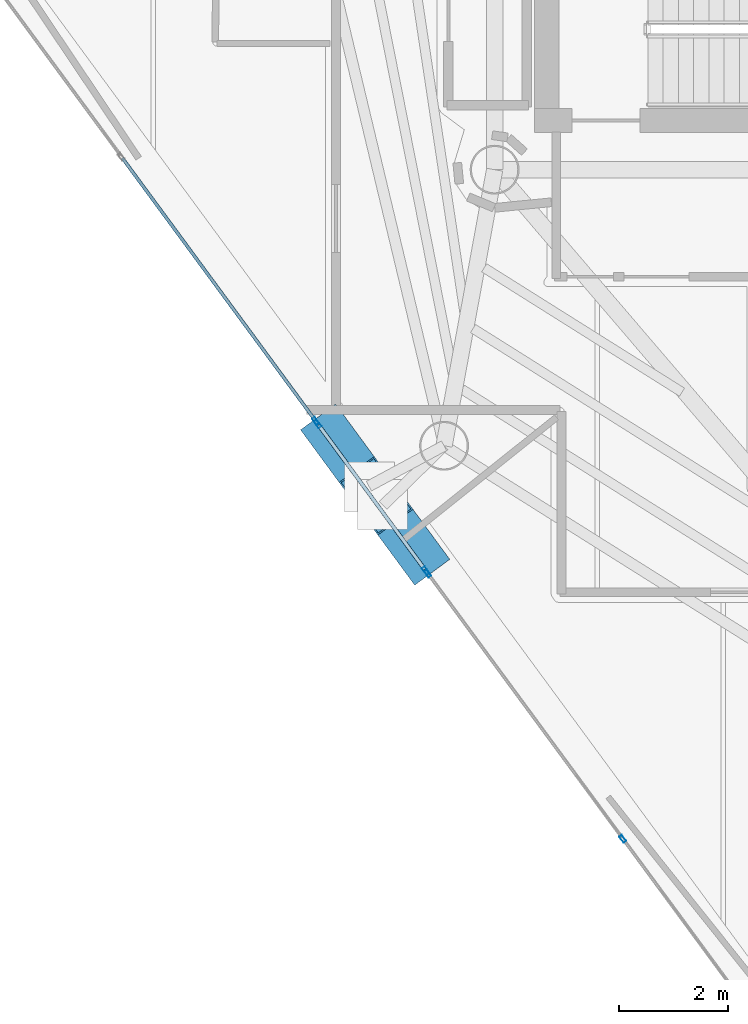
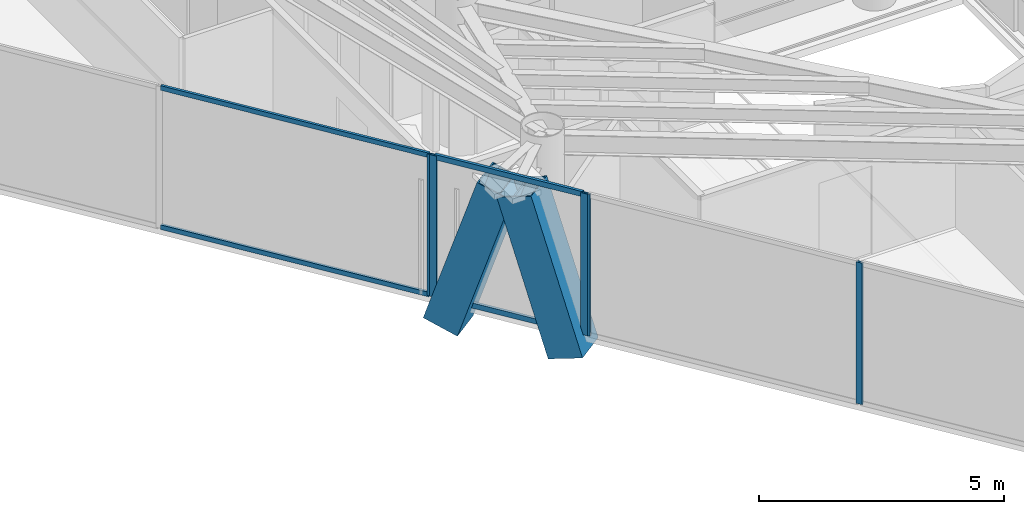
# One storey, part 2 of 21: 11 members, 3 elements without a shape of their own.
"""IFC4 building model written with IfcOpenShell, lengths in metres."""

from ifc_helpers import new_model, si_unit, direction, frame, origin, origin_2d, place, context, subcontext, project, spatial, hollow_rectangle, extrude, material, layer, layer_set, material_profile, profile_set, type_object, element, aggregate, save


model = new_model("IFC4")

# Units and contexts
model_context = context("Model", 3, precision=1e-05, world=origin(), true_north=direction((0.0, 1.0)))
body_context = subcontext(model_context, "Body", "Model", "MODEL_VIEW")
ifc_project = project(units=[si_unit("LENGTHUNIT", "METRE"), si_unit("AREAUNIT", "SQUARE_METRE"), si_unit("VOLUMEUNIT", "CUBIC_METRE"), si_unit("PLANEANGLEUNIT", "RADIAN"), si_unit("MASSUNIT", "GRAM", prefix="KILO")], contexts=[model_context])

# Site, building, storey
site_placement = place(None, origin())
site = spatial("IfcSite", under=ifc_project, at=site_placement, CompositionType="ELEMENT")
building_placement = place(site_placement, origin())
building = spatial("IfcBuilding", under=site, at=building_placement, Name="Qianvela Tower", CompositionType="ELEMENT")
storey_placement = place(building_placement, frame((0.0, 0.0, 302.800048828125)))
storey = spatial("IfcBuildingStorey", under=building, at=storey_placement, Name="L78", CompositionType="ELEMENT", Elevation=302.800048828125)

# Curtain wall, members
ifc_material_1 = material(Name="Anodised Architectural Aluminium and Insulated Spandrel Panel", Category="aluminium")
ifc_layer_1 = layer(ifc_material_1, 0.179931640625)
ifc_layer_set_1 = layer_set([ifc_layer_1], Name="Anodised Architectural Aluminium and Insulated Spandrel Panel")
curtain_wall_type_1 = type_object("IfcCurtainWallType", Name="CW-BRACEBAY", PredefinedType="USERDEFINED", material=ifc_layer_set_1)
curtain_wall_1_placement = place(storey_placement, origin())
curtain_wall_1 = element("IfcCurtainWall", 1, at=curtain_wall_1_placement, inside=storey, type_object=curtain_wall_type_1, Name="L78 CW-BRACEBAY Curtain Wall 04B", ObjectType="CURTAIN_WALL_SYSTEM", PredefinedType="USERDEFINED")
ifc_material_2 = material(Name="Anodised Architectural Aluminium 6063-T6", Category="aluminium")
ifc_material_profile_1 = material_profile(ifc_material_2, hollow_rectangle(XDim=0.06494140625, YDim=0.159912109375, WallThickness=0.0048828125, at=origin_2d()), Name="ALU-MULL-65x160")
ifc_profile_set_1 = profile_set([ifc_material_profile_1], Name="Anodised Architectural Aluminium 6063-T6")
member_type_1 = type_object("IfcMemberType", Name="CW-BRACEBAY-MULL", PredefinedType="MULLION", material=ifc_profile_set_1)
member_1_placement = place(storey_placement, frame((25.34521484375, 19.178466796875, 0.0), z_axis=(0.0, 0.0, 1.0), x_axis=(0.805717497787, 0.592300020057, 0.0)))
member_1 = element("IfcMember", 2, at=member_1_placement, type_object=member_type_1, Name="CW-9 mullion 1", PredefinedType="MULLION", context=body_context, shape_type="SweptSolid", body=[
    extrude(hollow_rectangle(XDim=0.06494140625, YDim=0.159912109375, WallThickness=0.0048828125, at=origin_2d()), origin(), (0.0, 0.0, 1.0), 3.52001953125),
])
member_2_placement = place(storey_placement, frame((27.33251953125, 16.475341796875, 0.0), z_axis=(0.0, 0.0, 1.0), x_axis=(0.805717497787, 0.592300020057, 0.0)))
member_2 = element("IfcMember", 3, at=member_2_placement, type_object=member_type_1, Name="CW-9 mullion 2", PredefinedType="MULLION", context=body_context, shape_type="SweptSolid", body=[
    extrude(hollow_rectangle(XDim=0.06494140625, YDim=0.159912109375, WallThickness=0.0048828125, at=origin_2d()), origin(), (0.0, 0.0, 1.0), 3.52001953125),
])
ifc_material_3 = material(Name="Anodised Architectural Aluminium 6063-T6", Category="aluminium")
ifc_material_profile_2 = material_profile(ifc_material_3, hollow_rectangle(XDim=0.06494140625, YDim=0.1298828125, WallThickness=0.00439453125, at=origin_2d()), Name="ALU-TRAN-65x130")
ifc_profile_set_2 = profile_set([ifc_material_profile_2], Name="Anodised Architectural Aluminium 6063-T6")
member_type_2 = type_object("IfcMemberType", Name="CW-BRACEBAY-TRAN", PredefinedType="USERDEFINED", material=ifc_profile_set_2)
member_3_placement = place(storey_placement, frame((25.364501953125, 19.15234375, 0.032470703125), z_axis=(0.59230261782, -0.80571558811, 0.0), x_axis=(0.80571558811, 0.59230261782, 0.0)))
member_3 = element("IfcMember", 4, at=member_3_placement, type_object=member_type_2, Name="CW-9 transom 1.1", ObjectType="TRANSOM", PredefinedType="USERDEFINED", context=body_context, shape_type="SweptSolid", body=[
    extrude(hollow_rectangle(XDim=0.06494140625, YDim=0.1298828125, WallThickness=0.00439453125, at=origin_2d()), origin(), (0.0, 0.0, 1.0), 3.2900390625),
])
member_4_placement = place(storey_placement, frame((25.364501953125, 19.15234375, 3.487548828125), z_axis=(0.59230261782, -0.80571558811, 0.0), x_axis=(0.80571558811, 0.59230261782, 0.0)))
member_4 = element("IfcMember", 5, at=member_4_placement, type_object=member_type_2, Name="CW-9 transom 1.2", ObjectType="TRANSOM", PredefinedType="USERDEFINED", context=body_context, shape_type="SweptSolid", body=[
    extrude(hollow_rectangle(XDim=0.06494140625, YDim=0.1298828125, WallThickness=0.00439453125, at=origin_2d()), origin(), (0.0, 0.0, 1.0), 3.2900390625),
])
aggregate(curtain_wall_1, [member_1, member_2, member_3, member_4])

# Curtain wall, member
ifc_material_4 = material(Name="Anodised Architectural Aluminium and Low-E Glass", Category="aluminium")
ifc_layer_2 = layer(ifc_material_4, 0.14990234375)
ifc_layer_set_2 = layer_set([ifc_layer_2], Name="Anodised Architectural Aluminium and Low-E Glass")
curtain_wall_type_2 = type_object("IfcCurtainWallType", Name="CW-COLIV-Z78", PredefinedType="USERDEFINED", material=ifc_layer_set_2)
curtain_wall_2_placement = place(storey_placement, origin())
curtain_wall_2 = element("IfcCurtainWall", 6, at=curtain_wall_2_placement, inside=storey, type_object=curtain_wall_type_2, Name="L78 CW-COLIV-Z78 Curtain Wall 04A", ObjectType="CURTAIN_WALL_SYSTEM", PredefinedType="USERDEFINED")
ifc_material_5 = material(Name="Anodised Architectural Aluminium 6063-T6", Category="aluminium")
ifc_material_profile_3 = material_profile(ifc_material_5, hollow_rectangle(XDim=0.06005859375, YDim=0.139892578125, WallThickness=0.00439453125, at=origin_2d()), Name="ALU-MULL-60x140")
ifc_profile_set_3 = profile_set([ifc_material_profile_3], Name="Anodised Architectural Aluminium 6063-T6")
member_type_3 = type_object("IfcMemberType", Name="CW-COLIV-Z78-MULL", PredefinedType="MULLION", material=ifc_profile_set_3)
member_5_placement = place(storey_placement, frame((25.308349609375, 19.228759765625, 0.0), z_axis=(0.0, 0.0, 1.0), x_axis=(0.805720613535, 0.592295781621, 0.0)))
member_5 = element("IfcMember", 7, at=member_5_placement, type_object=member_type_3, Name="CW-6 mullion 3", PredefinedType="MULLION", context=body_context, shape_type="SweptSolid", body=[
    extrude(hollow_rectangle(XDim=0.06005859375, YDim=0.139892578125, WallThickness=0.00439453125, at=origin_2d()), origin(), (0.0, 0.0, 1.0), 3.52001953125),
])

# Curtain wall, members
curtain_wall_3_placement = place(storey_placement, origin())
curtain_wall_3 = element("IfcCurtainWall", 8, at=curtain_wall_3_placement, inside=storey, type_object=curtain_wall_type_2, Name="L78 CW-COLIV-Z78 Curtain Wall 04C", ObjectType="CURTAIN_WALL_SYSTEM", PredefinedType="USERDEFINED")
member_6_placement = place(storey_placement, frame((27.369384765625, 16.425048828125, 0.0), z_axis=(0.0, 0.0, 1.0), x_axis=(0.805722167725, 0.592293667395, 0.0)))
member_6 = element("IfcMember", 9, at=member_6_placement, type_object=member_type_3, Name="CW-6 mullion 1", PredefinedType="MULLION", context=body_context, shape_type="SweptSolid", body=[
    extrude(hollow_rectangle(XDim=0.06005859375, YDim=0.139892578125, WallThickness=0.00439453125, at=origin_2d()), origin(), (0.0, 0.0, 1.0), 3.52001953125),
])
member_7_placement = place(storey_placement, frame((30.9560546875, 11.5458984375, 0.0), z_axis=(0.0, 0.0, 1.0), x_axis=(0.805722167725, 0.592293667395, 0.0)))
member_7 = element("IfcMember", 10, at=member_7_placement, type_object=member_type_3, Name="CW-6 mullion 2", PredefinedType="MULLION", context=body_context, shape_type="SweptSolid", body=[
    extrude(hollow_rectangle(XDim=0.06005859375, YDim=0.139892578125, WallThickness=0.00439453125, at=origin_2d()), origin(), (0.0, 0.0, 1.0), 3.52001953125),
])
aggregate(curtain_wall_3, [member_6, member_7])

# Member
ifc_material_6 = material(Name="Anodised Architectural Aluminium 6063-T6", Category="aluminium")
ifc_material_profile_4 = material_profile(ifc_material_6, hollow_rectangle(XDim=0.06005859375, YDim=0.114990234375, WallThickness=0.00390625, at=origin_2d()), Name="ALU-TRAN-60x115")
ifc_profile_set_4 = profile_set([ifc_material_profile_4], Name="Anodised Architectural Aluminium 6063-T6")
member_type_4 = type_object("IfcMemberType", Name="CW-COLIV-Z78-TRAN", PredefinedType="USERDEFINED", material=ifc_profile_set_4)
member_8_placement = place(storey_placement, frame((21.75439453125, 24.063232421875, 0.030029296875), z_axis=(0.592297547039, -0.805719315749, 0.0), x_axis=(0.805719315749, 0.592297547039, 0.0)))
member_8 = element("IfcMember", 11, at=member_8_placement, type_object=member_type_4, Name="CW-6 transom 2.1", ObjectType="TRANSOM", PredefinedType="USERDEFINED", context=body_context, shape_type="SweptSolid", body=[
    extrude(hollow_rectangle(XDim=0.06005859375, YDim=0.114990234375, WallThickness=0.00390625, at=origin_2d()), origin(), (0.0, 0.0, 1.0), 5.97021484375),
])

member_9_placement = place(storey_placement, frame((21.75439453125, 24.063232421875, 3.489990234375), z_axis=(0.592297547039, -0.805719315749, 0.0), x_axis=(0.805719315749, 0.592297547039, 0.0)))
member_9 = element("IfcMember", 12, at=member_9_placement, type_object=member_type_4, Name="CW-6 transom 2.2", ObjectType="TRANSOM", PredefinedType="USERDEFINED", context=body_context, shape_type="SweptSolid", body=[
    extrude(hollow_rectangle(XDim=0.06005859375, YDim=0.114990234375, WallThickness=0.00390625, at=origin_2d()), origin(), (0.0, 0.0, 1.0), 5.97021484375),
])

aggregate(curtain_wall_2, [member_5, member_8, member_9])

# Members
ifc_material_7 = material(Name="Steel Q420GJC", Category="steel")
ifc_material_profile_5 = material_profile(ifc_material_7, hollow_rectangle(XDim=0.800048828125, YDim=0.800048828125, WallThickness=0.028076171875, at=origin_2d()), Name="MBOX-800x800x28")
ifc_profile_set_5 = profile_set([ifc_material_profile_5], Name="Steel Q420GJC")
member_type_5 = type_object("IfcMemberType", Name="MBR-MBRACE-800", PredefinedType="BRACE", material=ifc_profile_set_5)
member_10_placement = place(storey_placement, frame((25.57861328125, 18.99609375, -0.48193359375), z_axis=(0.182430229047, -0.248157844261, 0.951386827669), x_axis=(0.805711090994, 0.592308735246, 0.0)))
element("IfcMember", 13, at=member_10_placement, inside=storey, type_object=member_type_5, Name="L78 Tier 13 Exterior Mega-Brace F2A", PredefinedType="BRACE", context=body_context, shape_type="SweptSolid", body=[
    extrude(hollow_rectangle(XDim=0.800048828125, YDim=0.800048828125, WallThickness=0.028076171875, at=origin_2d()), origin(), (0.0, 0.0, 1.0), 3.888916015625),
])
member_11_placement = place(storey_placement, frame((27.22607421875, 16.755126953125, -0.48193359375), z_axis=(-0.174941308638, 0.237920179747, 0.955400191857), x_axis=(-0.805651012649, -0.592390450478, 0.0)))
element("IfcMember", 14, at=member_11_placement, inside=storey, type_object=member_type_5, Name="L78 Tier 13 Exterior Mega-Brace F2B", PredefinedType="BRACE", context=body_context, shape_type="SweptSolid", body=[
    extrude(hollow_rectangle(XDim=0.800048828125, YDim=0.800048828125, WallThickness=0.028076171875, at=origin_2d()), origin(), (0.0, 0.0, 1.0), 3.87255859375),
])

save(model, "model.ifc")
